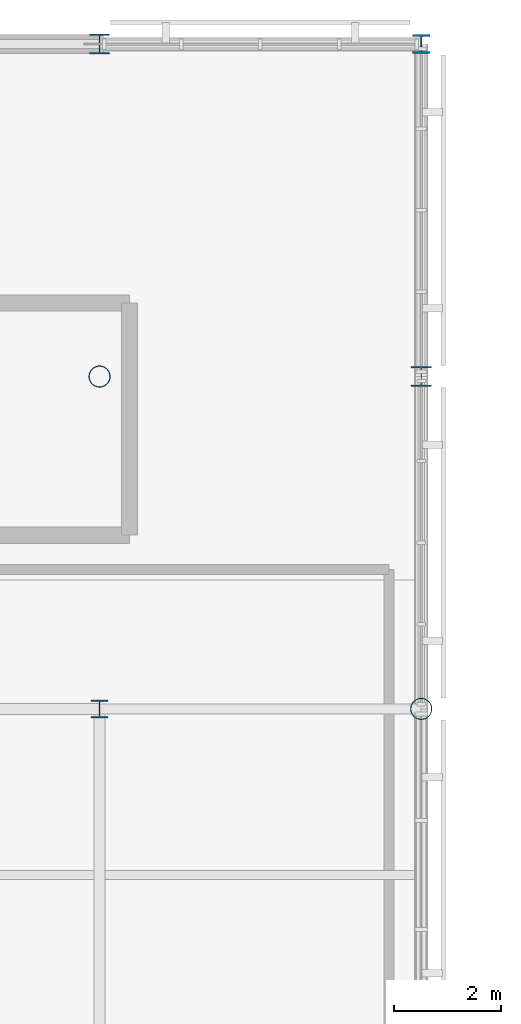
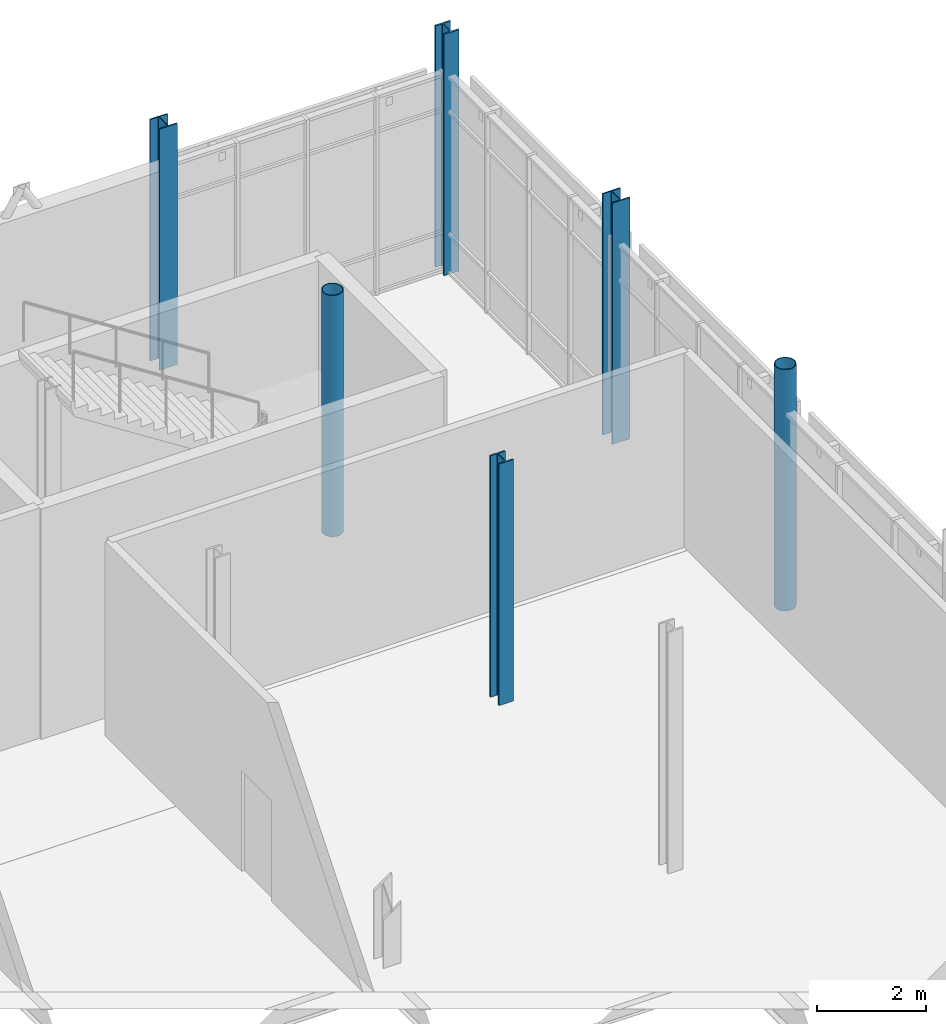
# One storey, part 18 of 105: 6 columns.
"""IFC4 building model written with IfcOpenShell, lengths in metres."""

from ifc_helpers import new_model, si_unit, direction, frame, origin, origin_2d, place, context, subcontext, project, spatial, hollow_circle, i_section, extrude, material, material_profile, profile_set, type_object, element, save


model = new_model("IFC4")

# Units and contexts
model_context = context("Model", 3, precision=1e-05, world=origin(), true_north=direction((0.0, 1.0)))
body_context = subcontext(model_context, "Body", "Model", "MODEL_VIEW")
ifc_project = project(units=[si_unit("LENGTHUNIT", "METRE"), si_unit("AREAUNIT", "SQUARE_METRE"), si_unit("VOLUMEUNIT", "CUBIC_METRE"), si_unit("PLANEANGLEUNIT", "RADIAN"), si_unit("MASSUNIT", "GRAM", prefix="KILO")], contexts=[model_context])

# Site, building, storey
site_placement = place(None, origin())
site = spatial("IfcSite", under=ifc_project, at=site_placement, CompositionType="ELEMENT")
building_placement = place(site_placement, origin())
building = spatial("IfcBuilding", under=site, at=building_placement, Name="Mirzam Square Science Centre", CompositionType="ELEMENT")
storey_placement = place(building_placement, frame((0.0, 0.0, 5.39990234375)))
storey = spatial("IfcBuildingStorey", under=building, at=storey_placement, Name="L01", CompositionType="ELEMENT", Elevation=5.39990234375)

# Columns
ifc_material = material(Name="Steel S355", Category="steel")
ifc_material_profile_1 = material_profile(ifc_material, hollow_circle(Radius=0.203125, WallThickness=0.01611328125, at=origin_2d()), Name="406.4x16.0CHS")
ifc_profile_set_1 = profile_set([ifc_material_profile_1], Name="Steel S355")
column_type_1 = type_object("IfcColumnType", Name="COL-CHS406", PredefinedType="COLUMN", material=ifc_profile_set_1)
for number, where, z_axis, x_axis, name in (
    (1, (132.0, 105.39990234375, 0.0), (0.0, 0.0, 1.0), (1.0, 0.0, 0.0), "L01 column G23-18"),
    (2, (138.0, 99.199951171875, 0.0), (0.0, 0.0, 1.0), (1.0, 0.0, 0.0), "L01 column G24-17"),
):
    element("IfcColumn", number, at=place(storey_placement, frame(where, z_axis=z_axis, x_axis=x_axis)), inside=storey, type_object=column_type_1, Name=name, PredefinedType="COLUMN", context=body_context, shape_type="SweptSolid", body=[
        extrude(hollow_circle(Radius=0.203125, WallThickness=0.01611328125, at=origin_2d()), origin(), (0.0, 0.0, 1.0), 5.400146484375),
    ])
ifc_material_profile_2 = material_profile(ifc_material, i_section(OverallWidth=0.314453125, OverallDepth=0.33984375, WebThickness=0.01904296875, FlangeThickness=0.031494140625, FilletRadius=0.01513671875, at=origin_2d()), Name="305x305x198UC")
ifc_profile_set_2 = profile_set([ifc_material_profile_2], Name="Steel S355")
column_type_2 = type_object("IfcColumnType", Name="COL-UC305B", PredefinedType="COLUMN", material=ifc_profile_set_2)
column_1_placement = place(storey_placement, frame((132.0, 99.199951171875, 0.0), z_axis=(0.0, 0.0, 1.0), x_axis=(1.0, 0.0, 0.0)))
element("IfcColumn", 3, at=column_1_placement, inside=storey, type_object=column_type_2, Name="L01 column G23-17", PredefinedType="COLUMN", context=body_context, shape_type="SweptSolid", body=[
    extrude(i_section(OverallWidth=0.314453125, OverallDepth=0.33984375, WebThickness=0.01904296875, FlangeThickness=0.031494140625, FilletRadius=0.01513671875, at=origin_2d()), origin(), (0.0, 0.0, 1.0), 5.400146484375),
])
ifc_material_profile_3 = material_profile(ifc_material, i_section(OverallWidth=0.318359375, OverallDepth=0.3525390625, WebThickness=0.02294921875, FlangeThickness=0.03759765625, FilletRadius=0.01513671875, at=origin_2d()), Name="305x305x240UC")
ifc_profile_set_3 = profile_set([ifc_material_profile_3], Name="Steel S355")
column_type_3 = type_object("IfcColumnType", Name="COL-UC305C", PredefinedType="COLUMN", material=ifc_profile_set_3)
column_2_placement = place(storey_placement, frame((138.0, 111.60009765625, 0.0), z_axis=(0.0, 0.0, 1.0), x_axis=(1.0, 0.0, 0.0)))
element("IfcColumn", 4, at=column_2_placement, inside=storey, type_object=column_type_3, Name="L01 column G24-19", PredefinedType="COLUMN", context=body_context, shape_type="SweptSolid", body=[
    extrude(i_section(OverallWidth=0.318359375, OverallDepth=0.3525390625, WebThickness=0.02294921875, FlangeThickness=0.03759765625, FilletRadius=0.01513671875, at=origin_2d()), origin(), (0.0, 0.0, 1.0), 5.400146484375),
])
ifc_material_profile_4 = material_profile(ifc_material, i_section(OverallWidth=0.374755859375, OverallDepth=0.37451171875, WebThickness=0.0166015625, FlangeThickness=0.027099609375, FilletRadius=0.01513671875, at=origin_2d()), Name="356x368x202UC")
ifc_profile_set_4 = profile_set([ifc_material_profile_4], Name="Steel S355")
column_type_4 = type_object("IfcColumnType", Name="COL-UC356A", PredefinedType="COLUMN", material=ifc_profile_set_4)
for number, where, z_axis, x_axis, name in (
    (5, (132.0, 111.60009765625, 0.0), (0.0, 0.0, 1.0), (1.0, 0.0, 0.0), "L01 column G23-19"),
    (6, (138.0, 105.39990234375, 0.0), (0.0, 0.0, 1.0), (1.0, 0.0, 0.0), "L01 column G24-18"),
):
    element("IfcColumn", number, at=place(storey_placement, frame(where, z_axis=z_axis, x_axis=x_axis)), inside=storey, type_object=column_type_4, Name=name, PredefinedType="COLUMN", context=body_context, shape_type="SweptSolid", body=[
        extrude(i_section(OverallWidth=0.374755859375, OverallDepth=0.37451171875, WebThickness=0.0166015625, FlangeThickness=0.027099609375, FilletRadius=0.01513671875, at=origin_2d()), origin(), (0.0, 0.0, 1.0), 5.400146484375),
    ])

save(model, "model.ifc")
